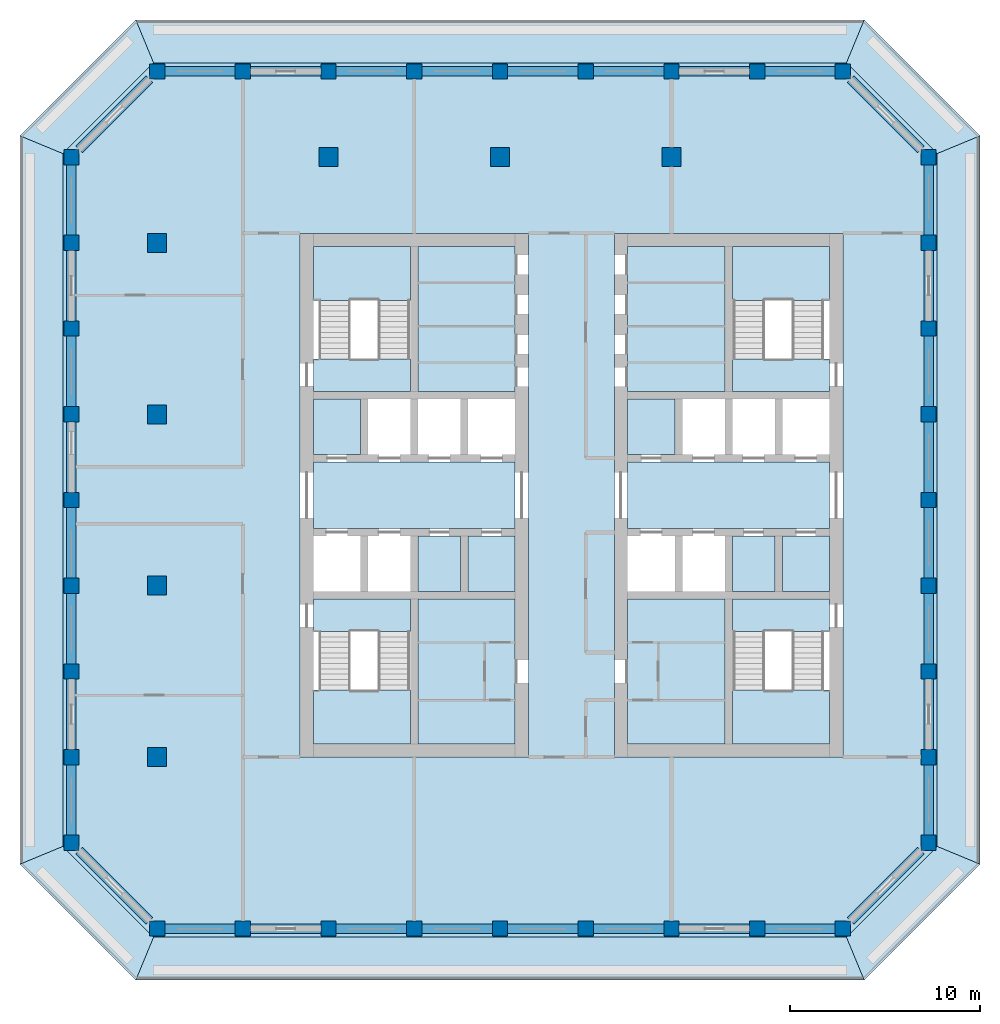
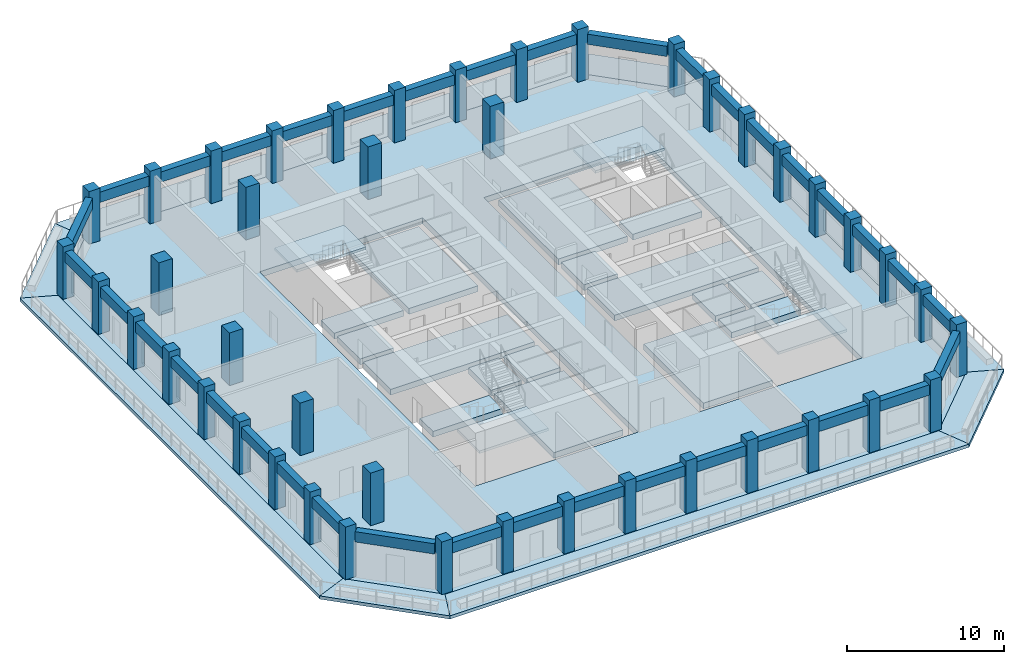
# One storey, part 1 of 14: 43 columns, 36 beams, 29 slabs, 4 elements without a shape of their own.
"""IFC4 building model written with IfcOpenShell, lengths in metres."""

from ifc_helpers import new_model, si_unit, direction, frame, origin, origin_2d, place, context, subcontext, project, spatial, polyline, rectangle, outline, extrude, material, layer, layer_set, material_profile, profile_set, type_object, element, aggregate, save


model = new_model("IFC4")

# Units and contexts
model_context = context("Model", 3, precision=1e-05, world=origin(), true_north=direction((0.0, 1.0)))
body_context = subcontext(model_context, "Body", "Model", "MODEL_VIEW")
ifc_project = project(units=[si_unit("LENGTHUNIT", "METRE"), si_unit("AREAUNIT", "SQUARE_METRE"), si_unit("VOLUMEUNIT", "CUBIC_METRE"), si_unit("PLANEANGLEUNIT", "RADIAN"), si_unit("MASSUNIT", "GRAM", prefix="KILO")], contexts=[model_context])

# Site, building, storey
site_placement = place(None, origin())
site = spatial("IfcSite", under=ifc_project, at=site_placement, CompositionType="ELEMENT")
building_placement = place(site_placement, origin())
building = spatial("IfcBuilding", under=site, at=building_placement, Name="Corbel Stack Research Tower", CompositionType="ELEMENT")
storey_placement = place(building_placement, frame((0.0, 0.0, 278.60009765625)))
storey = spatial("IfcBuildingStorey", under=building, at=storey_placement, Name="L63", CompositionType="ELEMENT", Elevation=278.60009765625)

# Columns
ifc_material_1 = material(Name="Concrete C60/75", Category="concrete")
ifc_material_profile_1 = material_profile(ifc_material_1, rectangle(XDim=1.0, YDim=1.0, at=origin_2d()), Name="RC 1000 x 1000")
ifc_profile_set_1 = profile_set([ifc_material_profile_1], Name="Concrete C60/75")
column_type_1 = type_object("IfcColumnType", Name="C-1000-60", PredefinedType="COLUMN", material=ifc_profile_set_1)
for number, where, z_axis, x_axis, name in (
    (1, (-18.0, -9.0, 0.0), (0.0, 0.0, 1.0), (1.0, 0.0, 0.0), "Column 4/F L63"),
    (2, (-18.0, 0.0, 0.0), (0.0, 0.0, 1.0), (1.0, 0.0, 0.0), "Column 4/H L63"),
    (3, (-18.0, 9.0, 0.0), (0.0, 0.0, 1.0), (1.0, 0.0, 0.0), "Column 4/K L63"),
    (4, (-18.0, 18.0, 0.0), (0.0, 0.0, 1.0), (1.0, 0.0, 0.0), "Column 4/M L63"),
    (5, (-9.0, 22.5, 0.0), (0.0, 0.0, 1.0), (1.0, 0.0, 0.0), "Column 6/N L63"),
    (6, (0.0, 22.5, 0.0), (0.0, 0.0, 1.0), (1.0, 0.0, 0.0), "Column 8/N L63"),
    (7, (9.0, 22.5, 0.0), (0.0, 0.0, 1.0), (1.0, 0.0, 0.0), "Column 10/N L63"),
):
    element("IfcColumn", number, at=place(storey_placement, frame(where, z_axis=z_axis, x_axis=x_axis)), inside=storey, type_object=column_type_1, Name=name, PredefinedType="COLUMN", context=body_context, shape_type="SweptSolid", body=[
        extrude(rectangle(XDim=1.0, YDim=1.0, at=origin_2d()), origin(), (0.0, 0.0, 1.0), 4.099853515625),
    ])
ifc_material_2 = material(Name="Concrete C60/75", Category="concrete")
ifc_material_profile_2 = material_profile(ifc_material_2, rectangle(XDim=0.800048828125, YDim=0.800048828125, at=origin_2d()), Name="RC 800 x 800")
ifc_profile_set_2 = profile_set([ifc_material_profile_2], Name="Concrete C60/75")
column_type_2 = type_object("IfcColumnType", Name="C-800-60", PredefinedType="COLUMN", material=ifc_profile_set_2)
for number, where, z_axis, x_axis, name in (
    (8, (-22.5, -13.5, 0.0), (0.0, 0.0, 1.0), (1.0, 0.0, 0.0), "Column 3/E L63"),
    (9, (-22.5, -9.0, 0.0), (0.0, 0.0, 1.0), (1.0, 0.0, 0.0), "Column 3/F L63"),
    (10, (-22.5, -4.5, 0.0), (0.0, 0.0, 1.0), (1.0, 0.0, 0.0), "Column 3/G L63"),
    (11, (-22.5, 0.0, 0.0), (0.0, 0.0, 1.0), (1.0, 0.0, 0.0), "Column 3/H L63"),
    (12, (-22.5, 4.5, 0.0), (0.0, 0.0, 1.0), (1.0, 0.0, 0.0), "Column 3/J L63"),
    (13, (-22.5, 9.0, 0.0), (0.0, 0.0, 1.0), (1.0, 0.0, 0.0), "Column 3/K L63"),
    (14, (-22.5, 13.5, 0.0), (0.0, 0.0, 1.0), (1.0, 0.0, 0.0), "Column 3/L L63"),
    (15, (-22.5, 18.0, 0.0), (0.0, 0.0, 1.0), (1.0, 0.0, 0.0), "Column 3/M L63"),
    (16, (-22.5, 22.5, 0.0), (0.0, 0.0, 1.0), (1.0, 0.0, 0.0), "Column 3/N L63"),
    (17, (-18.0, -18.0, 0.0), (0.0, 0.0, 1.0), (1.0, 0.0, 0.0), "Column 4/D L63"),
    (18, (-18.0, 27.0, 0.0), (0.0, 0.0, 1.0), (1.0, 0.0, 0.0), "Column 4/P L63"),
    (19, (-13.5, -18.0, 0.0), (0.0, 0.0, 1.0), (1.0, 0.0, 0.0), "Column 5/D L63"),
    (20, (-13.5, 27.0, 0.0), (0.0, 0.0, 1.0), (1.0, 0.0, 0.0), "Column 5/P L63"),
    (21, (-9.0, -18.0, 0.0), (0.0, 0.0, 1.0), (1.0, 0.0, 0.0), "Column 6/D L63"),
    (22, (-9.0, 27.0, 0.0), (0.0, 0.0, 1.0), (1.0, 0.0, 0.0), "Column 6/P L63"),
    (23, (-4.5, -18.0, 0.0), (0.0, 0.0, 1.0), (1.0, 0.0, 0.0), "Column 7/D L63"),
    (24, (-4.5, 27.0, 0.0), (0.0, 0.0, 1.0), (1.0, 0.0, 0.0), "Column 7/P L63"),
    (25, (0.0, -18.0, 0.0), (0.0, 0.0, 1.0), (1.0, 0.0, 0.0), "Column 8/D L63"),
    (26, (0.0, 27.0, 0.0), (0.0, 0.0, 1.0), (1.0, 0.0, 0.0), "Column 8/P L63"),
    (27, (4.5, -18.0, 0.0), (0.0, 0.0, 1.0), (1.0, 0.0, 0.0), "Column 9/D L63"),
    (28, (4.5, 27.0, 0.0), (0.0, 0.0, 1.0), (1.0, 0.0, 0.0), "Column 9/P L63"),
    (29, (9.0, -18.0, 0.0), (0.0, 0.0, 1.0), (1.0, 0.0, 0.0), "Column 10/D L63"),
    (30, (9.0, 27.0, 0.0), (0.0, 0.0, 1.0), (1.0, 0.0, 0.0), "Column 10/P L63"),
    (31, (13.5, -18.0, 0.0), (0.0, 0.0, 1.0), (1.0, 0.0, 0.0), "Column 11/D L63"),
    (32, (13.5, 27.0, 0.0), (0.0, 0.0, 1.0), (1.0, 0.0, 0.0), "Column 11/P L63"),
    (33, (18.0, -18.0, 0.0), (0.0, 0.0, 1.0), (1.0, 0.0, 0.0), "Column 12/D L63"),
    (34, (18.0, 27.0, 0.0), (0.0, 0.0, 1.0), (1.0, 0.0, 0.0), "Column 12/P L63"),
    (35, (22.5, -13.5, 0.0), (0.0, 0.0, 1.0), (1.0, 0.0, 0.0), "Column 13/E L63"),
    (36, (22.5, -9.0, 0.0), (0.0, 0.0, 1.0), (1.0, 0.0, 0.0), "Column 13/F L63"),
    (37, (22.5, -4.5, 0.0), (0.0, 0.0, 1.0), (1.0, 0.0, 0.0), "Column 13/G L63"),
    (38, (22.5, 0.0, 0.0), (0.0, 0.0, 1.0), (1.0, 0.0, 0.0), "Column 13/H L63"),
    (39, (22.5, 4.5, 0.0), (0.0, 0.0, 1.0), (1.0, 0.0, 0.0), "Column 13/J L63"),
    (40, (22.5, 9.0, 0.0), (0.0, 0.0, 1.0), (1.0, 0.0, 0.0), "Column 13/K L63"),
    (41, (22.5, 13.5, 0.0), (0.0, 0.0, 1.0), (1.0, 0.0, 0.0), "Column 13/L L63"),
    (42, (22.5, 18.0, 0.0), (0.0, 0.0, 1.0), (1.0, 0.0, 0.0), "Column 13/M L63"),
    (43, (22.5, 22.5, 0.0), (0.0, 0.0, 1.0), (1.0, 0.0, 0.0), "Column 13/N L63"),
):
    element("IfcColumn", number, at=place(storey_placement, frame(where, z_axis=z_axis, x_axis=x_axis)), inside=storey, type_object=column_type_2, Name=name, PredefinedType="COLUMN", context=body_context, shape_type="SweptSolid", body=[
        extrude(rectangle(XDim=0.800048828125, YDim=0.800048828125, at=origin_2d()), origin(), (0.0, 0.0, 1.0), 4.099853515625),
    ])

# Beams
ifc_material_3 = material(Name="Concrete C60/75", Category="concrete")
ifc_material_profile_3 = material_profile(ifc_material_3, rectangle(XDim=0.5, YDim=0.800048828125, at=origin_2d()), Name="RC 500 x 800")
ifc_profile_set_3 = profile_set([ifc_material_profile_3], Name="Concrete C60/75")
beam_type = type_object("IfcBeamType", Name="SB-500-800-450", PredefinedType="SPANDREL", material=ifc_profile_set_3)
for number, where, z_axis, x_axis, name in (
    (44, (-17.60009765625, -18.0, 3.25), (1.0, 0.0, 0.0), (0.0, 1.0, 0.0), "Spandrel beam L63-01"),
    (45, (-13.10009765625, -18.0, 3.25), (1.0, 0.0, 0.0), (0.0, 1.0, 0.0), "Spandrel beam L63-02"),
    (46, (-8.60009765625, -18.0, 3.25), (1.0, 0.0, 0.0), (0.0, 1.0, 0.0), "Spandrel beam L63-03"),
    (47, (-4.10009765625, -18.0, 3.25), (1.0, 0.0, 0.0), (0.0, 1.0, 0.0), "Spandrel beam L63-04"),
    (48, (0.39990234375, -18.0, 3.25), (1.0, 0.0, 0.0), (0.0, 1.0, 0.0), "Spandrel beam L63-05"),
    (49, (4.89990234375, -18.0, 3.25), (1.0, 0.0, 0.0), (0.0, 1.0, 0.0), "Spandrel beam L63-06"),
    (50, (9.39990234375, -18.0, 3.25), (1.0, 0.0, 0.0), (0.0, 1.0, 0.0), "Spandrel beam L63-07"),
    (51, (13.89990234375, -18.0, 3.25), (1.0, 0.0, 0.0), (0.0, 1.0, 0.0), "Spandrel beam L63-08"),
):
    element("IfcBeam", number, at=place(storey_placement, frame(where, z_axis=z_axis, x_axis=x_axis)), inside=storey, type_object=beam_type, Name=name, PredefinedType="SPANDREL", context=body_context, shape_type="SweptSolid", body=[
        extrude(rectangle(XDim=0.5, YDim=0.800048828125, at=origin_2d()), origin(), (0.0, 0.0, 1.0), 3.7001953125),
    ])
beam_1_placement = place(storey_placement, frame((18.39990234375, -17.60009765625, 3.25), z_axis=(0.707106781187, 0.707106781187, 0.0), x_axis=(-0.707106781187, 0.707106781187, 0.0)))
element("IfcBeam", 52, at=beam_1_placement, inside=storey, type_object=beam_type, Name="Spandrel beam L63-09", PredefinedType="SPANDREL", context=body_context, shape_type="SweptSolid", body=[
    extrude(rectangle(XDim=0.5, YDim=0.800048828125, at=origin_2d()), origin(), (0.0, 0.0, 1.0), 5.23291015625),
])
for number, where, z_axis, x_axis, name in (
    (53, (22.5, -13.10009765625, 3.25), (0.0, 1.0, 0.0), (-1.0, 0.0, 0.0), "Spandrel beam L63-10"),
    (54, (22.5, -8.60009765625, 3.25), (0.0, 1.0, 0.0), (-1.0, 0.0, 0.0), "Spandrel beam L63-11"),
    (55, (22.5, -4.10009765625, 3.25), (0.0, 1.0, 0.0), (-1.0, 0.0, 0.0), "Spandrel beam L63-12"),
    (56, (22.5, 0.39990234375, 3.25), (0.0, 1.0, 0.0), (-1.0, 0.0, 0.0), "Spandrel beam L63-13"),
    (57, (22.5, 4.89990234375, 3.25), (0.0, 1.0, 0.0), (-1.0, 0.0, 0.0), "Spandrel beam L63-14"),
    (58, (22.5, 9.39990234375, 3.25), (0.0, 1.0, 0.0), (-1.0, 0.0, 0.0), "Spandrel beam L63-15"),
    (59, (22.5, 13.89990234375, 3.25), (0.0, 1.0, 0.0), (-1.0, 0.0, 0.0), "Spandrel beam L63-16"),
    (60, (22.5, 18.39990234375, 3.25), (0.0, 1.0, 0.0), (-1.0, 0.0, 0.0), "Spandrel beam L63-17"),
):
    element("IfcBeam", number, at=place(storey_placement, frame(where, z_axis=z_axis, x_axis=x_axis)), inside=storey, type_object=beam_type, Name=name, PredefinedType="SPANDREL", context=body_context, shape_type="SweptSolid", body=[
        extrude(rectangle(XDim=0.5, YDim=0.800048828125, at=origin_2d()), origin(), (0.0, 0.0, 1.0), 3.7001953125),
    ])
beam_2_placement = place(storey_placement, frame((22.10009765625, 22.89990234375, 3.25), z_axis=(-0.707106781187, 0.707106781187, 0.0), x_axis=(-0.707106781187, -0.707106781187, 0.0)))
element("IfcBeam", 61, at=beam_2_placement, inside=storey, type_object=beam_type, Name="Spandrel beam L63-18", PredefinedType="SPANDREL", context=body_context, shape_type="SweptSolid", body=[
    extrude(rectangle(XDim=0.5, YDim=0.800048828125, at=origin_2d()), origin(), (0.0, 0.0, 1.0), 5.23291015625),
])
for number, where, z_axis, x_axis, name in (
    (62, (17.60009765625, 27.0, 3.25), (-1.0, 0.0, 0.0), (0.0, -1.0, 0.0), "Spandrel beam L63-19"),
    (63, (13.10009765625, 27.0, 3.25), (-1.0, 0.0, 0.0), (0.0, -1.0, 0.0), "Spandrel beam L63-20"),
    (64, (8.60009765625, 27.0, 3.25), (-1.0, 0.0, 0.0), (0.0, -1.0, 0.0), "Spandrel beam L63-21"),
    (65, (4.10009765625, 27.0, 3.25), (-1.0, 0.0, 0.0), (0.0, -1.0, 0.0), "Spandrel beam L63-22"),
    (66, (-0.39990234375, 27.0, 3.25), (-1.0, 0.0, 0.0), (0.0, -1.0, 0.0), "Spandrel beam L63-23"),
    (67, (-4.89990234375, 27.0, 3.25), (-1.0, 0.0, 0.0), (0.0, -1.0, 0.0), "Spandrel beam L63-24"),
    (68, (-9.39990234375, 27.0, 3.25), (-1.0, 0.0, 0.0), (0.0, -1.0, 0.0), "Spandrel beam L63-25"),
    (69, (-13.89990234375, 27.0, 3.25), (-1.0, 0.0, 0.0), (0.0, -1.0, 0.0), "Spandrel beam L63-26"),
):
    element("IfcBeam", number, at=place(storey_placement, frame(where, z_axis=z_axis, x_axis=x_axis)), inside=storey, type_object=beam_type, Name=name, PredefinedType="SPANDREL", context=body_context, shape_type="SweptSolid", body=[
        extrude(rectangle(XDim=0.5, YDim=0.800048828125, at=origin_2d()), origin(), (0.0, 0.0, 1.0), 3.7001953125),
    ])
beam_3_placement = place(storey_placement, frame((-18.39990234375, 26.60009765625, 3.25), z_axis=(-0.707106781187, -0.707106781187, 0.0), x_axis=(0.707106781187, -0.707106781187, 0.0)))
element("IfcBeam", 70, at=beam_3_placement, inside=storey, type_object=beam_type, Name="Spandrel beam L63-27", PredefinedType="SPANDREL", context=body_context, shape_type="SweptSolid", body=[
    extrude(rectangle(XDim=0.5, YDim=0.800048828125, at=origin_2d()), origin(), (0.0, 0.0, 1.0), 5.23291015625),
])
for number, where, z_axis, x_axis, name in (
    (71, (-22.5, 22.10009765625, 3.25), (0.0, -1.0, 0.0), (1.0, 0.0, 0.0), "Spandrel beam L63-28"),
    (72, (-22.5, 17.60009765625, 3.25), (0.0, -1.0, 0.0), (1.0, 0.0, 0.0), "Spandrel beam L63-29"),
    (73, (-22.5, 13.10009765625, 3.25), (0.0, -1.0, 0.0), (1.0, 0.0, 0.0), "Spandrel beam L63-30"),
    (74, (-22.5, 8.60009765625, 3.25), (0.0, -1.0, 0.0), (1.0, 0.0, 0.0), "Spandrel beam L63-31"),
    (75, (-22.5, 4.10009765625, 3.25), (0.0, -1.0, 0.0), (1.0, 0.0, 0.0), "Spandrel beam L63-32"),
    (76, (-22.5, -0.39990234375, 3.25), (0.0, -1.0, 0.0), (1.0, 0.0, 0.0), "Spandrel beam L63-33"),
    (77, (-22.5, -4.89990234375, 3.25), (0.0, -1.0, 0.0), (1.0, 0.0, 0.0), "Spandrel beam L63-34"),
    (78, (-22.5, -9.39990234375, 3.25), (0.0, -1.0, 0.0), (1.0, 0.0, 0.0), "Spandrel beam L63-35"),
):
    element("IfcBeam", number, at=place(storey_placement, frame(where, z_axis=z_axis, x_axis=x_axis)), inside=storey, type_object=beam_type, Name=name, PredefinedType="SPANDREL", context=body_context, shape_type="SweptSolid", body=[
        extrude(rectangle(XDim=0.5, YDim=0.800048828125, at=origin_2d()), origin(), (0.0, 0.0, 1.0), 3.7001953125),
    ])
beam_4_placement = place(storey_placement, frame((-22.10009765625, -13.89990234375, 3.25), z_axis=(0.707106781187, -0.707106781187, 0.0), x_axis=(0.707106781187, 0.707106781187, 0.0)))
element("IfcBeam", 79, at=beam_4_placement, inside=storey, type_object=beam_type, Name="Spandrel beam L63-36", PredefinedType="SPANDREL", context=body_context, shape_type="SweptSolid", body=[
    extrude(rectangle(XDim=0.5, YDim=0.800048828125, at=origin_2d()), origin(), (0.0, 0.0, 1.0), 5.23291015625),
])

# Slabs
ifc_material_4 = material(Name="Concrete C45/55", Category="concrete")
ifc_layer_1 = layer(ifc_material_4, 0.25)
ifc_layer_set_1 = layer_set([ifc_layer_1], Name="Concrete C45/55")
slab_type_1 = type_object("IfcSlabType", Name="PT balcony slab 250 C45/55", PredefinedType="FLOOR", material=ifc_layer_set_1)
slab_1_placement = place(storey_placement, frame((0.0, 0.0, -0.25)))
element("IfcSlab", 80, at=slab_1_placement, inside=storey, type_object=slab_type_1, Name="Loggia slab L63 S", PredefinedType="FLOOR", context=body_context, shape_type="SweptSolid", body=[
    extrude(outline(polyline([(18.186279296875, -18.449951171875), (-18.186279296875, -18.449951171875), (-19.118408203125, -20.699951171875), (19.118408203125, -20.699951171875), (18.186279296875, -18.449951171875)])), origin(), (0.0, 0.0, 1.0), 0.25),
])
slab_2_placement = place(storey_placement, frame((0.0, 0.0, -0.25)))
element("IfcSlab", 81, at=slab_2_placement, inside=storey, type_object=slab_type_1, Name="Loggia slab L63 SE", PredefinedType="FLOOR", context=body_context, shape_type="SweptSolid", body=[
    extrude(outline(polyline([(22.949951171875, -13.686279296875), (22.89990234375, -13.736328125), (22.89990234375, -13.89990234375), (22.736328125, -13.89990234375), (18.39990234375, -18.236328125), (18.39990234375, -18.39990234375), (18.236328125, -18.39990234375), (18.186279296875, -18.449951171875), (19.118408203125, -20.699951171875), (25.199951171875, -14.618408203125), (22.949951171875, -13.686279296875)])), origin(), (0.0, 0.0, 1.0), 0.25),
])
slab_3_placement = place(storey_placement, frame((0.0, 0.0, -0.25)))
element("IfcSlab", 82, at=slab_3_placement, inside=storey, type_object=slab_type_1, Name="Loggia slab L63 E", PredefinedType="FLOOR", context=body_context, shape_type="SweptSolid", body=[
    extrude(outline(polyline([(22.949951171875, 22.686279296875), (22.949951171875, -13.686279296875), (25.199951171875, -14.618408203125), (25.199951171875, 23.618408203125), (22.949951171875, 22.686279296875)])), origin(), (0.0, 0.0, 1.0), 0.25),
])
slab_4_placement = place(storey_placement, frame((0.0, 0.0, -0.25)))
element("IfcSlab", 83, at=slab_4_placement, inside=storey, type_object=slab_type_1, Name="Loggia slab L63 NE", PredefinedType="FLOOR", context=body_context, shape_type="SweptSolid", body=[
    extrude(outline(polyline([(18.186279296875, 27.449951171875), (18.236328125, 27.39990234375), (18.39990234375, 27.39990234375), (18.39990234375, 27.236328125), (22.736328125, 22.89990234375), (22.89990234375, 22.89990234375), (22.89990234375, 22.736328125), (22.949951171875, 22.686279296875), (25.199951171875, 23.618408203125), (19.118408203125, 29.699951171875), (18.186279296875, 27.449951171875)])), origin(), (0.0, 0.0, 1.0), 0.25),
])
slab_5_placement = place(storey_placement, frame((0.0, 0.0, -0.25)))
element("IfcSlab", 84, at=slab_5_placement, inside=storey, type_object=slab_type_1, Name="Loggia slab L63 N", PredefinedType="FLOOR", context=body_context, shape_type="SweptSolid", body=[
    extrude(outline(polyline([(-18.186279296875, 27.449951171875), (18.186279296875, 27.449951171875), (19.118408203125, 29.699951171875), (-19.118408203125, 29.699951171875), (-18.186279296875, 27.449951171875)])), origin(), (0.0, 0.0, 1.0), 0.25),
])
slab_6_placement = place(storey_placement, frame((0.0, 0.0, -0.25)))
element("IfcSlab", 85, at=slab_6_placement, inside=storey, type_object=slab_type_1, Name="Loggia slab L63 NW", PredefinedType="FLOOR", context=body_context, shape_type="SweptSolid", body=[
    extrude(outline(polyline([(-22.949951171875, 22.686279296875), (-22.89990234375, 22.736328125), (-22.89990234375, 22.89990234375), (-22.736328125, 22.89990234375), (-18.39990234375, 27.236328125), (-18.39990234375, 27.39990234375), (-18.236328125, 27.39990234375), (-18.186279296875, 27.449951171875), (-19.118408203125, 29.699951171875), (-25.199951171875, 23.618408203125), (-22.949951171875, 22.686279296875)])), origin(), (0.0, 0.0, 1.0), 0.25),
])
slab_7_placement = place(storey_placement, frame((0.0, 0.0, -0.25)))
element("IfcSlab", 86, at=slab_7_placement, inside=storey, type_object=slab_type_1, Name="Loggia slab L63 W", PredefinedType="FLOOR", context=body_context, shape_type="SweptSolid", body=[
    extrude(outline(polyline([(-22.949951171875, -13.686279296875), (-22.949951171875, 22.686279296875), (-25.199951171875, 23.618408203125), (-25.199951171875, -14.618408203125), (-22.949951171875, -13.686279296875)])), origin(), (0.0, 0.0, 1.0), 0.25),
])
slab_8_placement = place(storey_placement, frame((0.0, 0.0, -0.25)))
element("IfcSlab", 87, at=slab_8_placement, inside=storey, type_object=slab_type_1, Name="Loggia slab L63 SW", PredefinedType="FLOOR", context=body_context, shape_type="SweptSolid", body=[
    extrude(outline(polyline([(-18.186279296875, -18.449951171875), (-18.236328125, -18.39990234375), (-18.39990234375, -18.39990234375), (-18.39990234375, -18.236328125), (-22.736328125, -13.89990234375), (-22.89990234375, -13.89990234375), (-22.89990234375, -13.736328125), (-22.949951171875, -13.686279296875), (-25.199951171875, -14.618408203125), (-19.118408203125, -20.699951171875), (-18.186279296875, -18.449951171875)])), origin(), (0.0, 0.0, 1.0), 0.25),
])
ifc_material_5 = material(Name="Concrete C45/55", Category="concrete")
ifc_layer_2 = layer(ifc_material_5, 0.449951171875)
ifc_layer_set_2 = layer_set([ifc_layer_2], Name="Concrete C45/55")
slab_type_2 = type_object("IfcSlabType", Name="PT-450", PredefinedType="FLOOR", material=ifc_layer_set_2)
slab_9_placement = place(storey_placement, frame((0.0, 0.0, -0.4501953125)))
element("IfcSlab", 88, at=slab_9_placement, inside=storey, type_object=slab_type_2, Name="Floor slab L63", PredefinedType="FLOOR", context=body_context, shape_type="SweptSolid", body=[
    extrude(outline(polyline([(-18.186279296875, -18.449951171875), (18.186279296875, -18.449951171875), (22.949951171875, -13.686279296875), (22.949951171875, 22.686279296875), (18.186279296875, 27.449951171875), (-18.186279296875, 27.449951171875), (-22.949951171875, 22.686279296875), (-22.949951171875, -13.686279296875), (-18.186279296875, -18.449951171875)]), holes=[polyline([(18.0, 18.5), (18.0, -9.0), (6.0, -9.0), (6.0, 18.5), (18.0, 18.5)]), polyline([(9.5, 22.0), (8.5, 22.0), (8.5, 23.0), (9.5, 23.0), (9.5, 22.0)]), polyline([(1.5, 18.5), (1.5, -9.0), (-10.5, -9.0), (-10.5, 18.5), (1.5, 18.5)]), polyline([(0.5, 22.0), (-0.5, 22.0), (-0.5, 23.0), (0.5, 23.0), (0.5, 22.0)]), polyline([(-8.5, 23.0), (-8.5, 22.0), (-9.5, 22.0), (-9.5, 23.0), (-8.5, 23.0)]), polyline([(-17.5, -8.5), (-17.5, -9.5), (-18.5, -9.5), (-18.5, -8.5), (-17.5, -8.5)]), polyline([(-17.5, 0.5), (-17.5, -0.5), (-18.5, -0.5), (-18.5, 0.5), (-17.5, 0.5)]), polyline([(-17.5, 9.5), (-17.5, 8.5), (-18.5, 8.5), (-18.5, 9.5), (-17.5, 9.5)]), polyline([(-17.5, 18.5), (-17.5, 17.5), (-18.5, 17.5), (-18.5, 18.5), (-17.5, 18.5)])]), origin(), (0.0, 0.0, 1.0), 0.4501953125),
])
slab_10_placement = place(storey_placement, frame((0.0, 0.0, -0.4501953125)))
element("IfcSlab", 89, at=slab_10_placement, inside=storey, type_object=slab_type_2, Name="West core floor L63", PredefinedType="FLOOR", context=body_context, shape_type="SweptSolid", body=[
    extrude(outline(polyline([(-9.800048828125, 6.5), (-9.800048828125, 3.0), (0.800048828125, 3.0), (0.800048828125, 6.5), (-9.800048828125, 6.5)])), origin(), (0.0, 0.0, 1.0), 0.4501953125),
])
slab_11_placement = place(storey_placement, frame((0.0, 0.0, -0.4501953125)))
element("IfcSlab", 90, at=slab_11_placement, inside=storey, type_object=slab_type_2, Name="West core floor L63", PredefinedType="FLOOR", context=body_context, shape_type="SweptSolid", body=[
    extrude(outline(polyline([(-9.800048828125, 6.89990234375), (-7.324951171875, 6.89990234375), (-7.324951171875, 9.800048828125), (-9.800048828125, 9.800048828125), (-9.800048828125, 6.89990234375)])), origin(), (0.0, 0.0, 1.0), 0.4501953125),
])
slab_12_placement = place(storey_placement, frame((0.0, 0.0, -0.4501953125)))
element("IfcSlab", 91, at=slab_12_placement, inside=storey, type_object=slab_type_2, Name="West core floor L63", PredefinedType="FLOOR", context=body_context, shape_type="SweptSolid", body=[
    extrude(outline(polyline([(-4.300048828125, -0.699951171875), (-4.300048828125, -8.300048828125), (0.800048828125, -8.300048828125), (0.800048828125, -0.699951171875), (-4.300048828125, -0.699951171875)])), origin(), (0.0, 0.0, 1.0), 0.4501953125),
])
slab_13_placement = place(storey_placement, frame((0.0, 0.0, -0.4501953125)))
element("IfcSlab", 92, at=slab_13_placement, inside=storey, type_object=slab_type_2, Name="West core floor L63", PredefinedType="FLOOR", context=body_context, shape_type="SweptSolid", body=[
    extrude(outline(polyline([(-4.300048828125, 2.60009765625), (-4.300048828125, -0.300048828125), (-2.074951171875, -0.300048828125), (-2.074951171875, 2.60009765625), (-4.300048828125, 2.60009765625)])), origin(), (0.0, 0.0, 1.0), 0.4501953125),
])
slab_14_placement = place(storey_placement, frame((0.0, 0.0, -0.4501953125)))
element("IfcSlab", 93, at=slab_14_placement, inside=storey, type_object=slab_type_2, Name="West core floor L63", PredefinedType="FLOOR", context=body_context, shape_type="SweptSolid", body=[
    extrude(outline(polyline([(-4.300048828125, 17.800048828125), (-4.300048828125, 10.199951171875), (0.800048828125, 10.199951171875), (0.800048828125, 17.800048828125), (-4.300048828125, 17.800048828125)])), origin(), (0.0, 0.0, 1.0), 0.4501953125),
])
slab_15_placement = place(storey_placement, frame((0.0, 0.0, -0.4501953125)))
element("IfcSlab", 94, at=slab_15_placement, inside=storey, type_object=slab_type_2, Name="West core floor L63", PredefinedType="FLOOR", context=body_context, shape_type="SweptSolid", body=[
    extrude(outline(polyline([(-1.675048828125, 2.60009765625), (-1.675048828125, -0.300048828125), (0.800048828125, -0.300048828125), (0.800048828125, 2.60009765625), (-1.675048828125, 2.60009765625)])), origin(), (0.0, 0.0, 1.0), 0.4501953125),
])
slab_16_placement = place(storey_placement, frame((0.0, 0.0, -0.4501953125)))
element("IfcSlab", 95, at=slab_16_placement, inside=storey, type_object=slab_type_2, Name="East core floor L63", PredefinedType="FLOOR", context=body_context, shape_type="SweptSolid", body=[
    extrude(outline(polyline([(6.699951171875, -8.300048828125), (11.800048828125, -8.300048828125), (11.800048828125, -0.699951171875), (6.699951171875, -0.699951171875), (6.699951171875, -8.300048828125)])), origin(), (0.0, 0.0, 1.0), 0.4501953125),
])
slab_17_placement = place(storey_placement, frame((0.0, 0.0, -0.4501953125)))
element("IfcSlab", 96, at=slab_17_placement, inside=storey, type_object=slab_type_2, Name="East core floor L63", PredefinedType="FLOOR", context=body_context, shape_type="SweptSolid", body=[
    extrude(outline(polyline([(6.699951171875, 3.0), (17.300048828125, 3.0), (17.300048828125, 6.5), (6.699951171875, 6.5), (6.699951171875, 3.0)])), origin(), (0.0, 0.0, 1.0), 0.4501953125),
])
slab_18_placement = place(storey_placement, frame((0.0, 0.0, -0.4501953125)))
element("IfcSlab", 97, at=slab_18_placement, inside=storey, type_object=slab_type_2, Name="East core floor L63", PredefinedType="FLOOR", context=body_context, shape_type="SweptSolid", body=[
    extrude(outline(polyline([(6.699951171875, 6.89990234375), (9.175048828125, 6.89990234375), (9.175048828125, 9.800048828125), (6.699951171875, 9.800048828125), (6.699951171875, 6.89990234375)])), origin(), (0.0, 0.0, 1.0), 0.4501953125),
])
slab_19_placement = place(storey_placement, frame((0.0, 0.0, -0.4501953125)))
element("IfcSlab", 98, at=slab_19_placement, inside=storey, type_object=slab_type_2, Name="East core floor L63", PredefinedType="FLOOR", context=body_context, shape_type="SweptSolid", body=[
    extrude(outline(polyline([(6.699951171875, 10.199951171875), (11.800048828125, 10.199951171875), (11.800048828125, 17.800048828125), (6.699951171875, 17.800048828125), (6.699951171875, 10.199951171875)])), origin(), (0.0, 0.0, 1.0), 0.4501953125),
])
slab_20_placement = place(storey_placement, frame((0.0, 0.0, -0.4501953125)))
element("IfcSlab", 99, at=slab_20_placement, inside=storey, type_object=slab_type_2, Name="East core floor L63", PredefinedType="FLOOR", context=body_context, shape_type="SweptSolid", body=[
    extrude(outline(polyline([(12.199951171875, 2.60009765625), (12.199951171875, -0.300048828125), (14.425048828125, -0.300048828125), (14.425048828125, 2.60009765625), (12.199951171875, 2.60009765625)])), origin(), (0.0, 0.0, 1.0), 0.4501953125),
])
slab_21_placement = place(storey_placement, frame((0.0, 0.0, -0.4501953125)))
element("IfcSlab", 100, at=slab_21_placement, inside=storey, type_object=slab_type_2, Name="East core floor L63", PredefinedType="FLOOR", context=body_context, shape_type="SweptSolid", body=[
    extrude(outline(polyline([(14.824951171875, 2.60009765625), (14.824951171875, -0.300048828125), (17.300048828125, -0.300048828125), (17.300048828125, 2.60009765625), (14.824951171875, 2.60009765625)])), origin(), (0.0, 0.0, 1.0), 0.4501953125),
])
slab_22_placement = place(storey_placement, frame((0.0, 0.0, -0.4501953125)))
element("IfcSlab", 101, at=slab_22_placement, inside=storey, type_object=slab_type_2, Name="Stair floor landing ST-W1", PredefinedType="FLOOR", context=body_context, shape_type="SweptSolid", body=[
    extrude(outline(polyline([(-9.800048828125, -2.39990234375), (-4.699951171875, -2.39990234375), (-4.699951171875, -0.699951171875), (-9.800048828125, -0.699951171875), (-9.800048828125, -2.39990234375)])), origin(), (0.0, 0.0, 1.0), 0.4501953125),
])
slab_23_placement = place(storey_placement, frame((0.0, 0.0, -0.4501953125)))
element("IfcSlab", 102, at=slab_23_placement, inside=storey, type_object=slab_type_2, Name="Stair floor landing ST-W2", PredefinedType="FLOOR", context=body_context, shape_type="SweptSolid", body=[
    extrude(outline(polyline([(-9.800048828125, 10.199951171875), (-4.699951171875, 10.199951171875), (-4.699951171875, 11.89990234375), (-9.800048828125, 11.89990234375), (-9.800048828125, 10.199951171875)])), origin(), (0.0, 0.0, 1.0), 0.4501953125),
])
slab_24_placement = place(storey_placement, frame((0.0, 0.0, -0.4501953125)))
element("IfcSlab", 103, at=slab_24_placement, inside=storey, type_object=slab_type_2, Name="Stair floor landing ST-E1", PredefinedType="FLOOR", context=body_context, shape_type="SweptSolid", body=[
    extrude(outline(polyline([(12.199951171875, -2.39990234375), (17.300048828125, -2.39990234375), (17.300048828125, -0.699951171875), (12.199951171875, -0.699951171875), (12.199951171875, -2.39990234375)])), origin(), (0.0, 0.0, 1.0), 0.4501953125),
])
slab_25_placement = place(storey_placement, frame((0.0, 0.0, -0.4501953125)))
element("IfcSlab", 104, at=slab_25_placement, inside=storey, type_object=slab_type_2, Name="Stair floor landing ST-E2", PredefinedType="FLOOR", context=body_context, shape_type="SweptSolid", body=[
    extrude(outline(polyline([(12.199951171875, 10.199951171875), (17.300048828125, 10.199951171875), (17.300048828125, 11.89990234375), (12.199951171875, 11.89990234375), (12.199951171875, 10.199951171875)])), origin(), (0.0, 0.0, 1.0), 0.4501953125),
])

# Stair, slab
ifc_material_6 = material(Name="Concrete C40/50", Category="concrete")
stair_type = type_object("IfcStairType", Name="Exit stair 24 risers", PredefinedType="HALF_TURN_STAIR", material=ifc_material_6)
stair_1_placement = place(storey_placement, origin())
stair_1 = element("IfcStair", 105, at=stair_1_placement, inside=storey, type_object=stair_type, Name="L63 Exit stair ST-W1", PredefinedType="HALF_TURN_STAIR")
ifc_material_7 = material(Name="Concrete C40/50", Category="concrete")
ifc_layer_3 = layer(ifc_material_7, 0.199951171875)
ifc_layer_set_3 = layer_set([ifc_layer_3], Name="Concrete C40/50")
slab_type_3 = type_object("IfcSlabType", Name="Stair landing 200 C40/50", PredefinedType="LANDING", material=ifc_layer_set_3)
slab_26_placement = place(storey_placement, frame((0.0, 0.0, 1.849853515625)))
slab_26 = element("IfcSlab", 106, at=slab_26_placement, type_object=slab_type_3, Name="ST-W1 landing 1", PredefinedType="LANDING", context=body_context, shape_type="SweptSolid", body=[
    extrude(outline(polyline([(-9.800048828125, -8.300048828125), (-9.800048828125, -5.47998046875), (-4.699951171875, -5.47998046875), (-4.699951171875, -8.300048828125), (-9.800048828125, -8.300048828125)])), origin(), (0.0, 0.0, 1.0), 0.199951171875),
])
aggregate(stair_1, [slab_26])

stair_2_placement = place(storey_placement, origin())
stair_2 = element("IfcStair", 107, at=stair_2_placement, inside=storey, type_object=stair_type, Name="L63 Exit stair ST-W2", PredefinedType="HALF_TURN_STAIR")
slab_27_placement = place(storey_placement, frame((0.0, 0.0, 1.849853515625)))
slab_27 = element("IfcSlab", 108, at=slab_27_placement, type_object=slab_type_3, Name="ST-W2 landing 1", PredefinedType="LANDING", context=body_context, shape_type="SweptSolid", body=[
    extrude(outline(polyline([(-9.800048828125, 14.97998046875), (-9.800048828125, 17.800048828125), (-4.699951171875, 17.800048828125), (-4.699951171875, 14.97998046875), (-9.800048828125, 14.97998046875)])), origin(), (0.0, 0.0, 1.0), 0.199951171875),
])
aggregate(stair_2, [slab_27])

stair_3_placement = place(storey_placement, origin())
stair_3 = element("IfcStair", 109, at=stair_3_placement, inside=storey, type_object=stair_type, Name="L63 Exit stair ST-E1", PredefinedType="HALF_TURN_STAIR")
slab_28_placement = place(storey_placement, frame((0.0, 0.0, 1.849853515625)))
slab_28 = element("IfcSlab", 110, at=slab_28_placement, type_object=slab_type_3, Name="ST-E1 landing 1", PredefinedType="LANDING", context=body_context, shape_type="SweptSolid", body=[
    extrude(outline(polyline([(12.199951171875, -8.300048828125), (12.199951171875, -5.47998046875), (17.300048828125, -5.47998046875), (17.300048828125, -8.300048828125), (12.199951171875, -8.300048828125)])), origin(), (0.0, 0.0, 1.0), 0.199951171875),
])
aggregate(stair_3, [slab_28])

stair_4_placement = place(storey_placement, origin())
stair_4 = element("IfcStair", 111, at=stair_4_placement, inside=storey, type_object=stair_type, Name="L63 Exit stair ST-E2", PredefinedType="HALF_TURN_STAIR")
slab_29_placement = place(storey_placement, frame((0.0, 0.0, 1.849853515625)))
slab_29 = element("IfcSlab", 112, at=slab_29_placement, type_object=slab_type_3, Name="ST-E2 landing 1", PredefinedType="LANDING", context=body_context, shape_type="SweptSolid", body=[
    extrude(outline(polyline([(12.199951171875, 14.97998046875), (12.199951171875, 17.800048828125), (17.300048828125, 17.800048828125), (17.300048828125, 14.97998046875), (12.199951171875, 14.97998046875)])), origin(), (0.0, 0.0, 1.0), 0.199951171875),
])
aggregate(stair_4, [slab_29])

save(model, "model.ifc")
